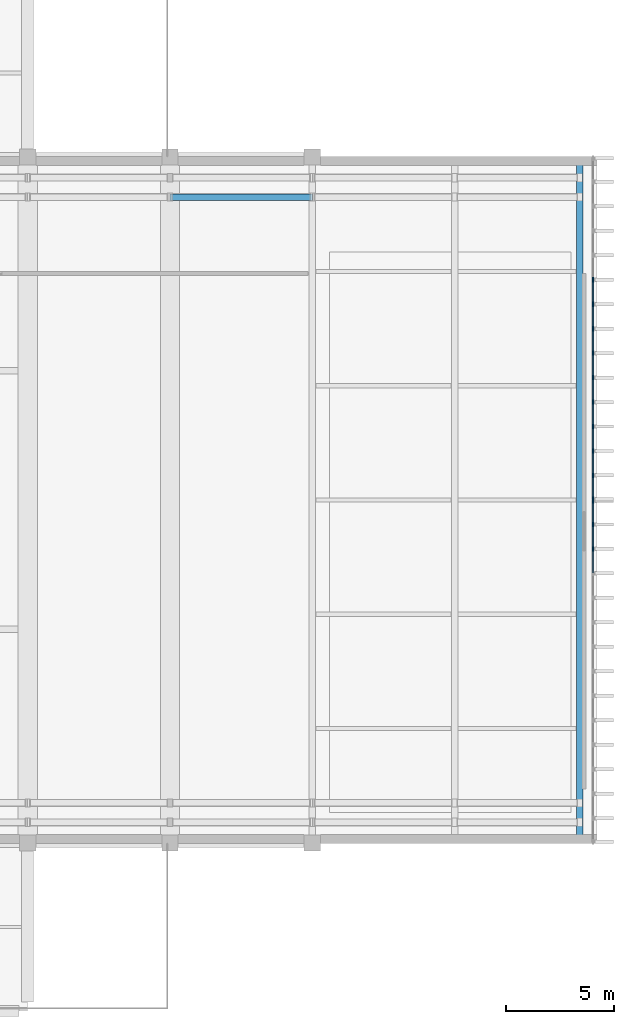
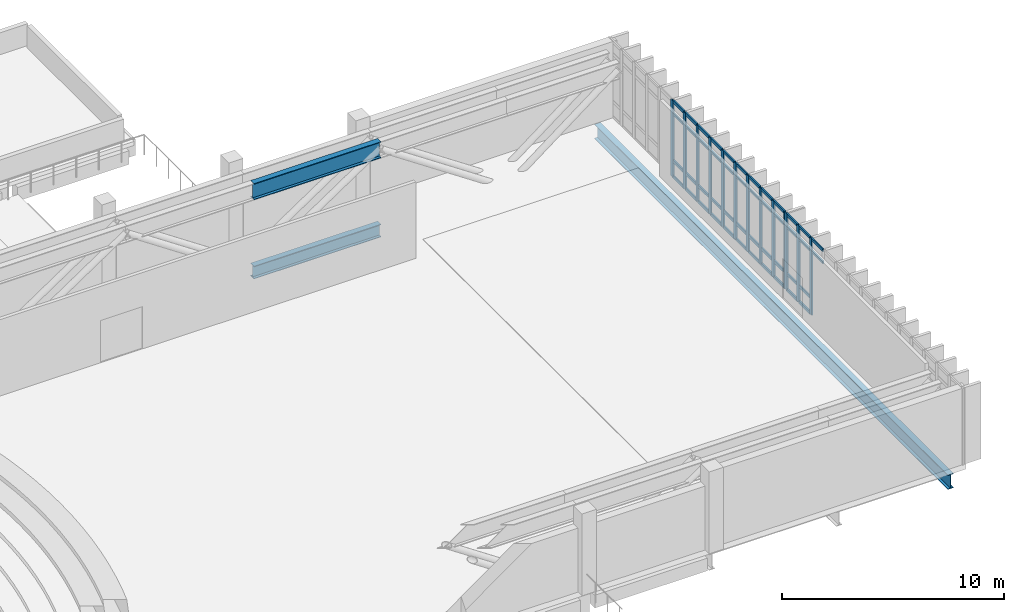
# One storey, part 24 of 54: 61 members, 1 beam, 2 elements without a shape of their own.
"""IFC4 building model written with IfcOpenShell, lengths in metres."""

from ifc_helpers import new_model, si_unit, direction, frame, origin, origin_2d, place, context, subcontext, project, spatial, rectangle, i_section, extrude, material, layer, layer_set, material_profile, profile_set, type_object, element, aggregate, save


model = new_model("IFC4")

# Units and contexts
model_context = context("Model", 3, precision=1e-05, world=origin(), true_north=direction((0.0, 1.0)))
body_context = subcontext(model_context, "Body", "Model", "MODEL_VIEW")
ifc_project = project(units=[si_unit("LENGTHUNIT", "METRE"), si_unit("AREAUNIT", "SQUARE_METRE"), si_unit("VOLUMEUNIT", "CUBIC_METRE"), si_unit("PLANEANGLEUNIT", "RADIAN"), si_unit("MASSUNIT", "GRAM", prefix="KILO")], contexts=[model_context])

# Site, building, storey
site_placement = place(None, origin())
site = spatial("IfcSite", under=ifc_project, at=site_placement, CompositionType="ELEMENT")
building_placement = place(site_placement, origin())
building = spatial("IfcBuilding", under=site, at=building_placement, Name="Kelarvand Opera House", CompositionType="ELEMENT")
storey_placement = place(building_placement, frame((0.0, 0.0, 15.0)))
storey = spatial("IfcBuildingStorey", under=building, at=storey_placement, Name="L03", CompositionType="ELEMENT", Elevation=15.0)

# Curtain wall, members
ifc_material_1 = material(Name="Thermally broken aluminium and low-E glazing", Category="aluminium")
ifc_layer = layer(ifc_material_1, 0.219970703125, Name="Thermally broken aluminium and low-E glazing", Category="aluminium")
ifc_layer_set = layer_set([ifc_layer], Name="Thermally broken aluminium and low-E glazing")
curtain_wall_type = type_object("IfcCurtainWallType", Name="Unitised Low-E Curtain Wall 15886x4200 Mod 1150 CWF-07", PredefinedType="USERDEFINED", material=ifc_layer_set)
curtain_wall_1_placement = place(storey_placement, origin())
curtain_wall_1 = element("IfcCurtainWall", 1, at=curtain_wall_1_placement, inside=storey, type_object=curtain_wall_type, Name="V1 L03 Curtain Wall CWF-07 (21)", ObjectType="UNITISED CURTAIN WALL", PredefinedType="USERDEFINED")
ifc_material_2 = material(Name="Thermally broken anodised aluminium", Category="aluminium")
ifc_material_profile_1 = material_profile(ifc_material_2, rectangle(XDim=0.074951171875, YDim=0.219970703125, at=origin_2d()), Name="ALU MULLION 75x220", Category="aluminium")
ifc_profile_set_1 = profile_set([ifc_material_profile_1], Name="Thermally broken anodised aluminium")
member_type_1 = type_object("IfcMemberType", Name="Curtain Wall Mullion 75x220 Heavy Plaza", PredefinedType="MULLION", material=ifc_profile_set_1)
member_1_placement = place(storey_placement, frame((154.820068359375, 72.71630859375, 0.0), z_axis=(0.0, 0.0, 1.0), x_axis=(1.0, 0.0, 0.0)))
member_1 = element("IfcMember", 2, at=member_1_placement, type_object=member_type_1, Name="CWF-07 mullion 6", PredefinedType="MULLION", context=body_context, shape_type="SweptSolid", body=[
    extrude(rectangle(XDim=0.074951171875, YDim=0.219970703125, at=origin_2d()), origin(), (0.0, 0.0, 1.0), 4.199951171875),
])
member_2_placement = place(storey_placement, frame((154.820068359375, 71.581787109375, 0.0), z_axis=(0.0, 0.0, 1.0), x_axis=(1.0, 0.0, 0.0)))
member_2 = element("IfcMember", 3, at=member_2_placement, type_object=member_type_1, Name="CWF-07 mullion 7", PredefinedType="MULLION", context=body_context, shape_type="SweptSolid", body=[
    extrude(rectangle(XDim=0.074951171875, YDim=0.219970703125, at=origin_2d()), origin(), (0.0, 0.0, 1.0), 4.199951171875),
])
member_3_placement = place(storey_placement, frame((154.820068359375, 70.447021484375, 0.0), z_axis=(0.0, 0.0, 1.0), x_axis=(1.0, 0.0, 0.0)))
member_3 = element("IfcMember", 4, at=member_3_placement, type_object=member_type_1, Name="CWF-07 mullion 8", PredefinedType="MULLION", context=body_context, shape_type="SweptSolid", body=[
    extrude(rectangle(XDim=0.074951171875, YDim=0.219970703125, at=origin_2d()), origin(), (0.0, 0.0, 1.0), 4.199951171875),
])
member_4_placement = place(storey_placement, frame((154.820068359375, 69.312255859375, 0.0), z_axis=(0.0, 0.0, 1.0), x_axis=(1.0, 0.0, 0.0)))
member_4 = element("IfcMember", 5, at=member_4_placement, type_object=member_type_1, Name="CWF-07 mullion 9", PredefinedType="MULLION", context=body_context, shape_type="SweptSolid", body=[
    extrude(rectangle(XDim=0.074951171875, YDim=0.219970703125, at=origin_2d()), origin(), (0.0, 0.0, 1.0), 4.199951171875),
])
member_5_placement = place(storey_placement, frame((154.820068359375, 68.177490234375, 0.0), z_axis=(0.0, 0.0, 1.0), x_axis=(1.0, 0.0, 0.0)))
member_5 = element("IfcMember", 6, at=member_5_placement, type_object=member_type_1, Name="CWF-07 mullion 10", PredefinedType="MULLION", context=body_context, shape_type="SweptSolid", body=[
    extrude(rectangle(XDim=0.074951171875, YDim=0.219970703125, at=origin_2d()), origin(), (0.0, 0.0, 1.0), 4.199951171875),
])
member_6_placement = place(storey_placement, frame((154.820068359375, 67.04296875, 0.0), z_axis=(0.0, 0.0, 1.0), x_axis=(1.0, 0.0, 0.0)))
member_6 = element("IfcMember", 7, at=member_6_placement, type_object=member_type_1, Name="CWF-07 mullion 11", PredefinedType="MULLION", context=body_context, shape_type="SweptSolid", body=[
    extrude(rectangle(XDim=0.074951171875, YDim=0.219970703125, at=origin_2d()), origin(), (0.0, 0.0, 1.0), 4.199951171875),
])
member_7_placement = place(storey_placement, frame((154.820068359375, 65.908203125, 0.0), z_axis=(0.0, 0.0, 1.0), x_axis=(1.0, 0.0, 0.0)))
member_7 = element("IfcMember", 8, at=member_7_placement, type_object=member_type_1, Name="CWF-07 mullion 12", PredefinedType="MULLION", context=body_context, shape_type="SweptSolid", body=[
    extrude(rectangle(XDim=0.074951171875, YDim=0.219970703125, at=origin_2d()), origin(), (0.0, 0.0, 1.0), 4.199951171875),
])
member_8_placement = place(storey_placement, frame((154.820068359375, 64.7734375, 0.0), z_axis=(0.0, 0.0, 1.0), x_axis=(1.0, 0.0, 0.0)))
member_8 = element("IfcMember", 9, at=member_8_placement, type_object=member_type_1, Name="CWF-07 mullion 13", PredefinedType="MULLION", context=body_context, shape_type="SweptSolid", body=[
    extrude(rectangle(XDim=0.074951171875, YDim=0.219970703125, at=origin_2d()), origin(), (0.0, 0.0, 1.0), 4.199951171875),
])
member_9_placement = place(storey_placement, frame((154.820068359375, 63.638671875, 0.0), z_axis=(0.0, 0.0, 1.0), x_axis=(1.0, 0.0, 0.0)))
member_9 = element("IfcMember", 10, at=member_9_placement, type_object=member_type_1, Name="CWF-07 mullion 14", PredefinedType="MULLION", context=body_context, shape_type="SweptSolid", body=[
    extrude(rectangle(XDim=0.074951171875, YDim=0.219970703125, at=origin_2d()), origin(), (0.0, 0.0, 1.0), 4.199951171875),
])
member_10_placement = place(storey_placement, frame((154.820068359375, 62.54150390625, 0.0), z_axis=(0.0, 0.0, 1.0), x_axis=(1.0, 0.0, 0.0)))
member_10 = element("IfcMember", 11, at=member_10_placement, type_object=member_type_1, Name="CWF-07 mullion 15", PredefinedType="MULLION", context=body_context, shape_type="SweptSolid", body=[
    extrude(rectangle(XDim=0.074951171875, YDim=0.219970703125, at=origin_2d()), origin(), (0.0, 0.0, 1.0), 4.199951171875),
])

curtain_wall_2_placement = place(storey_placement, origin())
curtain_wall_2 = element("IfcCurtainWall", 12, at=curtain_wall_2_placement, inside=storey, type_object=curtain_wall_type, Name="V1 L03 Curtain Wall CWF-07 (22)", ObjectType="UNITISED CURTAIN WALL", PredefinedType="USERDEFINED")
member_11_placement = place(storey_placement, frame((154.820068359375, 62.46240234375, 0.0), z_axis=(0.0, 0.0, 1.0), x_axis=(1.0, 0.0, 0.0)))
member_11 = element("IfcMember", 13, at=member_11_placement, type_object=member_type_1, Name="CWF-07 mullion 1", PredefinedType="MULLION", context=body_context, shape_type="SweptSolid", body=[
    extrude(rectangle(XDim=0.074951171875, YDim=0.219970703125, at=origin_2d()), origin(), (0.0, 0.0, 1.0), 4.199951171875),
])
member_12_placement = place(storey_placement, frame((154.820068359375, 61.364990234375, 0.0), z_axis=(0.0, 0.0, 1.0), x_axis=(1.0, 0.0, 0.0)))
member_12 = element("IfcMember", 14, at=member_12_placement, type_object=member_type_1, Name="CWF-07 mullion 2", PredefinedType="MULLION", context=body_context, shape_type="SweptSolid", body=[
    extrude(rectangle(XDim=0.074951171875, YDim=0.219970703125, at=origin_2d()), origin(), (0.0, 0.0, 1.0), 4.199951171875),
])
member_13_placement = place(storey_placement, frame((154.820068359375, 60.22998046875, 0.0), z_axis=(0.0, 0.0, 1.0), x_axis=(1.0, 0.0, 0.0)))
member_13 = element("IfcMember", 15, at=member_13_placement, type_object=member_type_1, Name="CWF-07 mullion 3", PredefinedType="MULLION", context=body_context, shape_type="SweptSolid", body=[
    extrude(rectangle(XDim=0.074951171875, YDim=0.219970703125, at=origin_2d()), origin(), (0.0, 0.0, 1.0), 4.199951171875),
])

# Member
ifc_material_profile_2 = material_profile(ifc_material_2, rectangle(XDim=0.074951171875, YDim=0.159912109375, at=origin_2d()), Name="ALU TRANSOM 75x160", Category="aluminium")
ifc_profile_set_2 = profile_set([ifc_material_profile_2], Name="Thermally broken anodised aluminium")
member_type_2 = type_object("IfcMemberType", Name="Curtain Wall Transom 75x160 Heavy Plaza", PredefinedType="USERDEFINED", material=ifc_profile_set_2)
member_14_placement = place(storey_placement, frame((154.820068359375, 72.678955078125, 0.03759765625), z_axis=(0.0, -1.0, 0.0), x_axis=(1.0, 0.0, 0.0)))
member_14 = element("IfcMember", 16, at=member_14_placement, type_object=member_type_2, Name="CWF-07 transom 6.1", ObjectType="TRANSOM", PredefinedType="USERDEFINED", context=body_context, shape_type="SweptSolid", body=[
    extrude(rectangle(XDim=0.074951171875, YDim=0.159912109375, at=origin_2d()), origin(), (0.0, 0.0, 1.0), 1.059814453125),
])

member_15_placement = place(storey_placement, frame((154.820068359375, 72.678955078125, 0.89990234375), z_axis=(0.0, -1.0, 0.0), x_axis=(1.0, 0.0, 0.0)))
member_15 = element("IfcMember", 17, at=member_15_placement, type_object=member_type_2, Name="CWF-07 transom 6.2", ObjectType="TRANSOM", PredefinedType="USERDEFINED", context=body_context, shape_type="SweptSolid", body=[
    extrude(rectangle(XDim=0.074951171875, YDim=0.159912109375, at=origin_2d()), origin(), (0.0, 0.0, 1.0), 1.059814453125),
])

member_16_placement = place(storey_placement, frame((154.820068359375, 72.678955078125, 3.5), z_axis=(0.0, -1.0, 0.0), x_axis=(1.0, 0.0, 0.0)))
member_16 = element("IfcMember", 18, at=member_16_placement, type_object=member_type_2, Name="CWF-07 transom 6.3", ObjectType="TRANSOM", PredefinedType="USERDEFINED", context=body_context, shape_type="SweptSolid", body=[
    extrude(rectangle(XDim=0.074951171875, YDim=0.159912109375, at=origin_2d()), origin(), (0.0, 0.0, 1.0), 1.059814453125),
])

member_17_placement = place(storey_placement, frame((154.820068359375, 72.678955078125, 4.16259765625), z_axis=(0.0, -1.0, 0.0), x_axis=(1.0, 0.0, 0.0)))
member_17 = element("IfcMember", 19, at=member_17_placement, type_object=member_type_2, Name="CWF-07 transom 6.4", ObjectType="TRANSOM", PredefinedType="USERDEFINED", context=body_context, shape_type="SweptSolid", body=[
    extrude(rectangle(XDim=0.074951171875, YDim=0.159912109375, at=origin_2d()), origin(), (0.0, 0.0, 1.0), 1.059814453125),
])

member_18_placement = place(storey_placement, frame((154.820068359375, 71.544189453125, 0.03759765625), z_axis=(0.0, -1.0, 0.0), x_axis=(1.0, 0.0, 0.0)))
member_18 = element("IfcMember", 20, at=member_18_placement, type_object=member_type_2, Name="CWF-07 transom 7.1", ObjectType="TRANSOM", PredefinedType="USERDEFINED", context=body_context, shape_type="SweptSolid", body=[
    extrude(rectangle(XDim=0.074951171875, YDim=0.159912109375, at=origin_2d()), origin(), (0.0, 0.0, 1.0), 1.0595703125),
])

member_19_placement = place(storey_placement, frame((154.820068359375, 71.544189453125, 0.89990234375), z_axis=(0.0, -1.0, 0.0), x_axis=(1.0, 0.0, 0.0)))
member_19 = element("IfcMember", 21, at=member_19_placement, type_object=member_type_2, Name="CWF-07 transom 7.2", ObjectType="TRANSOM", PredefinedType="USERDEFINED", context=body_context, shape_type="SweptSolid", body=[
    extrude(rectangle(XDim=0.074951171875, YDim=0.159912109375, at=origin_2d()), origin(), (0.0, 0.0, 1.0), 1.0595703125),
])

member_20_placement = place(storey_placement, frame((154.820068359375, 71.544189453125, 3.5), z_axis=(0.0, -1.0, 0.0), x_axis=(1.0, 0.0, 0.0)))
member_20 = element("IfcMember", 22, at=member_20_placement, type_object=member_type_2, Name="CWF-07 transom 7.3", ObjectType="TRANSOM", PredefinedType="USERDEFINED", context=body_context, shape_type="SweptSolid", body=[
    extrude(rectangle(XDim=0.074951171875, YDim=0.159912109375, at=origin_2d()), origin(), (0.0, 0.0, 1.0), 1.0595703125),
])

member_21_placement = place(storey_placement, frame((154.820068359375, 71.544189453125, 4.16259765625), z_axis=(0.0, -1.0, 0.0), x_axis=(1.0, 0.0, 0.0)))
member_21 = element("IfcMember", 23, at=member_21_placement, type_object=member_type_2, Name="CWF-07 transom 7.4", ObjectType="TRANSOM", PredefinedType="USERDEFINED", context=body_context, shape_type="SweptSolid", body=[
    extrude(rectangle(XDim=0.074951171875, YDim=0.159912109375, at=origin_2d()), origin(), (0.0, 0.0, 1.0), 1.0595703125),
])

member_22_placement = place(storey_placement, frame((154.820068359375, 70.409423828125, 0.03759765625), z_axis=(0.0, -1.0, 0.0), x_axis=(1.0, 0.0, 0.0)))
member_22 = element("IfcMember", 24, at=member_22_placement, type_object=member_type_2, Name="CWF-07 transom 8.1", ObjectType="TRANSOM", PredefinedType="USERDEFINED", context=body_context, shape_type="SweptSolid", body=[
    extrude(rectangle(XDim=0.074951171875, YDim=0.159912109375, at=origin_2d()), origin(), (0.0, 0.0, 1.0), 1.0595703125),
])

member_23_placement = place(storey_placement, frame((154.820068359375, 70.409423828125, 0.89990234375), z_axis=(0.0, -1.0, 0.0), x_axis=(1.0, 0.0, 0.0)))
member_23 = element("IfcMember", 25, at=member_23_placement, type_object=member_type_2, Name="CWF-07 transom 8.2", ObjectType="TRANSOM", PredefinedType="USERDEFINED", context=body_context, shape_type="SweptSolid", body=[
    extrude(rectangle(XDim=0.074951171875, YDim=0.159912109375, at=origin_2d()), origin(), (0.0, 0.0, 1.0), 1.0595703125),
])

member_24_placement = place(storey_placement, frame((154.820068359375, 70.409423828125, 3.5), z_axis=(0.0, -1.0, 0.0), x_axis=(1.0, 0.0, 0.0)))
member_24 = element("IfcMember", 26, at=member_24_placement, type_object=member_type_2, Name="CWF-07 transom 8.3", ObjectType="TRANSOM", PredefinedType="USERDEFINED", context=body_context, shape_type="SweptSolid", body=[
    extrude(rectangle(XDim=0.074951171875, YDim=0.159912109375, at=origin_2d()), origin(), (0.0, 0.0, 1.0), 1.0595703125),
])

member_25_placement = place(storey_placement, frame((154.820068359375, 70.409423828125, 4.16259765625), z_axis=(0.0, -1.0, 0.0), x_axis=(1.0, 0.0, 0.0)))
member_25 = element("IfcMember", 27, at=member_25_placement, type_object=member_type_2, Name="CWF-07 transom 8.4", ObjectType="TRANSOM", PredefinedType="USERDEFINED", context=body_context, shape_type="SweptSolid", body=[
    extrude(rectangle(XDim=0.074951171875, YDim=0.159912109375, at=origin_2d()), origin(), (0.0, 0.0, 1.0), 1.0595703125),
])

member_26_placement = place(storey_placement, frame((154.820068359375, 69.27490234375, 0.03759765625), z_axis=(0.0, -1.0, 0.0), x_axis=(1.0, 0.0, 0.0)))
member_26 = element("IfcMember", 28, at=member_26_placement, type_object=member_type_2, Name="CWF-07 transom 9.1", ObjectType="TRANSOM", PredefinedType="USERDEFINED", context=body_context, shape_type="SweptSolid", body=[
    extrude(rectangle(XDim=0.074951171875, YDim=0.159912109375, at=origin_2d()), origin(), (0.0, 0.0, 1.0), 1.059814453125),
])

member_27_placement = place(storey_placement, frame((154.820068359375, 69.27490234375, 0.89990234375), z_axis=(0.0, -1.0, 0.0), x_axis=(1.0, 0.0, 0.0)))
member_27 = element("IfcMember", 29, at=member_27_placement, type_object=member_type_2, Name="CWF-07 transom 9.2", ObjectType="TRANSOM", PredefinedType="USERDEFINED", context=body_context, shape_type="SweptSolid", body=[
    extrude(rectangle(XDim=0.074951171875, YDim=0.159912109375, at=origin_2d()), origin(), (0.0, 0.0, 1.0), 1.059814453125),
])

member_28_placement = place(storey_placement, frame((154.820068359375, 69.27490234375, 3.5), z_axis=(0.0, -1.0, 0.0), x_axis=(1.0, 0.0, 0.0)))
member_28 = element("IfcMember", 30, at=member_28_placement, type_object=member_type_2, Name="CWF-07 transom 9.3", ObjectType="TRANSOM", PredefinedType="USERDEFINED", context=body_context, shape_type="SweptSolid", body=[
    extrude(rectangle(XDim=0.074951171875, YDim=0.159912109375, at=origin_2d()), origin(), (0.0, 0.0, 1.0), 1.059814453125),
])

member_29_placement = place(storey_placement, frame((154.820068359375, 69.27490234375, 4.16259765625), z_axis=(0.0, -1.0, 0.0), x_axis=(1.0, 0.0, 0.0)))
member_29 = element("IfcMember", 31, at=member_29_placement, type_object=member_type_2, Name="CWF-07 transom 9.4", ObjectType="TRANSOM", PredefinedType="USERDEFINED", context=body_context, shape_type="SweptSolid", body=[
    extrude(rectangle(XDim=0.074951171875, YDim=0.159912109375, at=origin_2d()), origin(), (0.0, 0.0, 1.0), 1.059814453125),
])

member_30_placement = place(storey_placement, frame((154.820068359375, 68.14013671875, 0.03759765625), z_axis=(0.0, -1.0, 0.0), x_axis=(1.0, 0.0, 0.0)))
member_30 = element("IfcMember", 32, at=member_30_placement, type_object=member_type_2, Name="CWF-07 transom 10.1", ObjectType="TRANSOM", PredefinedType="USERDEFINED", context=body_context, shape_type="SweptSolid", body=[
    extrude(rectangle(XDim=0.074951171875, YDim=0.159912109375, at=origin_2d()), origin(), (0.0, 0.0, 1.0), 1.059814453125),
])

member_31_placement = place(storey_placement, frame((154.820068359375, 68.14013671875, 0.89990234375), z_axis=(0.0, -1.0, 0.0), x_axis=(1.0, 0.0, 0.0)))
member_31 = element("IfcMember", 33, at=member_31_placement, type_object=member_type_2, Name="CWF-07 transom 10.2", ObjectType="TRANSOM", PredefinedType="USERDEFINED", context=body_context, shape_type="SweptSolid", body=[
    extrude(rectangle(XDim=0.074951171875, YDim=0.159912109375, at=origin_2d()), origin(), (0.0, 0.0, 1.0), 1.059814453125),
])

member_32_placement = place(storey_placement, frame((154.820068359375, 68.14013671875, 3.5), z_axis=(0.0, -1.0, 0.0), x_axis=(1.0, 0.0, 0.0)))
member_32 = element("IfcMember", 34, at=member_32_placement, type_object=member_type_2, Name="CWF-07 transom 10.3", ObjectType="TRANSOM", PredefinedType="USERDEFINED", context=body_context, shape_type="SweptSolid", body=[
    extrude(rectangle(XDim=0.074951171875, YDim=0.159912109375, at=origin_2d()), origin(), (0.0, 0.0, 1.0), 1.059814453125),
])

member_33_placement = place(storey_placement, frame((154.820068359375, 68.14013671875, 4.16259765625), z_axis=(0.0, -1.0, 0.0), x_axis=(1.0, 0.0, 0.0)))
member_33 = element("IfcMember", 35, at=member_33_placement, type_object=member_type_2, Name="CWF-07 transom 10.4", ObjectType="TRANSOM", PredefinedType="USERDEFINED", context=body_context, shape_type="SweptSolid", body=[
    extrude(rectangle(XDim=0.074951171875, YDim=0.159912109375, at=origin_2d()), origin(), (0.0, 0.0, 1.0), 1.059814453125),
])

member_34_placement = place(storey_placement, frame((154.820068359375, 67.00537109375, 0.03759765625), z_axis=(0.0, -1.0, 0.0), x_axis=(1.0, 0.0, 0.0)))
member_34 = element("IfcMember", 36, at=member_34_placement, type_object=member_type_2, Name="CWF-07 transom 11.1", ObjectType="TRANSOM", PredefinedType="USERDEFINED", context=body_context, shape_type="SweptSolid", body=[
    extrude(rectangle(XDim=0.074951171875, YDim=0.159912109375, at=origin_2d()), origin(), (0.0, 0.0, 1.0), 1.059814453125),
])

member_35_placement = place(storey_placement, frame((154.820068359375, 67.00537109375, 0.89990234375), z_axis=(0.0, -1.0, 0.0), x_axis=(1.0, 0.0, 0.0)))
member_35 = element("IfcMember", 37, at=member_35_placement, type_object=member_type_2, Name="CWF-07 transom 11.2", ObjectType="TRANSOM", PredefinedType="USERDEFINED", context=body_context, shape_type="SweptSolid", body=[
    extrude(rectangle(XDim=0.074951171875, YDim=0.159912109375, at=origin_2d()), origin(), (0.0, 0.0, 1.0), 1.059814453125),
])

member_36_placement = place(storey_placement, frame((154.820068359375, 67.00537109375, 3.5), z_axis=(0.0, -1.0, 0.0), x_axis=(1.0, 0.0, 0.0)))
member_36 = element("IfcMember", 38, at=member_36_placement, type_object=member_type_2, Name="CWF-07 transom 11.3", ObjectType="TRANSOM", PredefinedType="USERDEFINED", context=body_context, shape_type="SweptSolid", body=[
    extrude(rectangle(XDim=0.074951171875, YDim=0.159912109375, at=origin_2d()), origin(), (0.0, 0.0, 1.0), 1.059814453125),
])

member_37_placement = place(storey_placement, frame((154.820068359375, 67.00537109375, 4.16259765625), z_axis=(0.0, -1.0, 0.0), x_axis=(1.0, 0.0, 0.0)))
member_37 = element("IfcMember", 39, at=member_37_placement, type_object=member_type_2, Name="CWF-07 transom 11.4", ObjectType="TRANSOM", PredefinedType="USERDEFINED", context=body_context, shape_type="SweptSolid", body=[
    extrude(rectangle(XDim=0.074951171875, YDim=0.159912109375, at=origin_2d()), origin(), (0.0, 0.0, 1.0), 1.059814453125),
])

member_38_placement = place(storey_placement, frame((154.820068359375, 65.87060546875, 0.03759765625), z_axis=(0.0, -1.0, 0.0), x_axis=(1.0, 0.0, 0.0)))
member_38 = element("IfcMember", 40, at=member_38_placement, type_object=member_type_2, Name="CWF-07 transom 12.1", ObjectType="TRANSOM", PredefinedType="USERDEFINED", context=body_context, shape_type="SweptSolid", body=[
    extrude(rectangle(XDim=0.074951171875, YDim=0.159912109375, at=origin_2d()), origin(), (0.0, 0.0, 1.0), 1.0595703125),
])

member_39_placement = place(storey_placement, frame((154.820068359375, 65.87060546875, 0.89990234375), z_axis=(0.0, -1.0, 0.0), x_axis=(1.0, 0.0, 0.0)))
member_39 = element("IfcMember", 41, at=member_39_placement, type_object=member_type_2, Name="CWF-07 transom 12.2", ObjectType="TRANSOM", PredefinedType="USERDEFINED", context=body_context, shape_type="SweptSolid", body=[
    extrude(rectangle(XDim=0.074951171875, YDim=0.159912109375, at=origin_2d()), origin(), (0.0, 0.0, 1.0), 1.0595703125),
])

member_40_placement = place(storey_placement, frame((154.820068359375, 65.87060546875, 3.5), z_axis=(0.0, -1.0, 0.0), x_axis=(1.0, 0.0, 0.0)))
member_40 = element("IfcMember", 42, at=member_40_placement, type_object=member_type_2, Name="CWF-07 transom 12.3", ObjectType="TRANSOM", PredefinedType="USERDEFINED", context=body_context, shape_type="SweptSolid", body=[
    extrude(rectangle(XDim=0.074951171875, YDim=0.159912109375, at=origin_2d()), origin(), (0.0, 0.0, 1.0), 1.0595703125),
])

member_41_placement = place(storey_placement, frame((154.820068359375, 65.87060546875, 4.16259765625), z_axis=(0.0, -1.0, 0.0), x_axis=(1.0, 0.0, 0.0)))
member_41 = element("IfcMember", 43, at=member_41_placement, type_object=member_type_2, Name="CWF-07 transom 12.4", ObjectType="TRANSOM", PredefinedType="USERDEFINED", context=body_context, shape_type="SweptSolid", body=[
    extrude(rectangle(XDim=0.074951171875, YDim=0.159912109375, at=origin_2d()), origin(), (0.0, 0.0, 1.0), 1.0595703125),
])

member_42_placement = place(storey_placement, frame((154.820068359375, 64.73583984375, 0.03759765625), z_axis=(0.0, -1.0, 0.0), x_axis=(1.0, 0.0, 0.0)))
member_42 = element("IfcMember", 44, at=member_42_placement, type_object=member_type_2, Name="CWF-07 transom 13.1", ObjectType="TRANSOM", PredefinedType="USERDEFINED", context=body_context, shape_type="SweptSolid", body=[
    extrude(rectangle(XDim=0.074951171875, YDim=0.159912109375, at=origin_2d()), origin(), (0.0, 0.0, 1.0), 1.0595703125),
])

member_43_placement = place(storey_placement, frame((154.820068359375, 64.73583984375, 0.89990234375), z_axis=(0.0, -1.0, 0.0), x_axis=(1.0, 0.0, 0.0)))
member_43 = element("IfcMember", 45, at=member_43_placement, type_object=member_type_2, Name="CWF-07 transom 13.2", ObjectType="TRANSOM", PredefinedType="USERDEFINED", context=body_context, shape_type="SweptSolid", body=[
    extrude(rectangle(XDim=0.074951171875, YDim=0.159912109375, at=origin_2d()), origin(), (0.0, 0.0, 1.0), 1.0595703125),
])

member_44_placement = place(storey_placement, frame((154.820068359375, 64.73583984375, 3.5), z_axis=(0.0, -1.0, 0.0), x_axis=(1.0, 0.0, 0.0)))
member_44 = element("IfcMember", 46, at=member_44_placement, type_object=member_type_2, Name="CWF-07 transom 13.3", ObjectType="TRANSOM", PredefinedType="USERDEFINED", context=body_context, shape_type="SweptSolid", body=[
    extrude(rectangle(XDim=0.074951171875, YDim=0.159912109375, at=origin_2d()), origin(), (0.0, 0.0, 1.0), 1.0595703125),
])

member_45_placement = place(storey_placement, frame((154.820068359375, 64.73583984375, 4.16259765625), z_axis=(0.0, -1.0, 0.0), x_axis=(1.0, 0.0, 0.0)))
member_45 = element("IfcMember", 47, at=member_45_placement, type_object=member_type_2, Name="CWF-07 transom 13.4", ObjectType="TRANSOM", PredefinedType="USERDEFINED", context=body_context, shape_type="SweptSolid", body=[
    extrude(rectangle(XDim=0.074951171875, YDim=0.159912109375, at=origin_2d()), origin(), (0.0, 0.0, 1.0), 1.0595703125),
])

member_46_placement = place(storey_placement, frame((154.820068359375, 63.601318359375, 0.03759765625), z_axis=(0.0, -1.0, 0.0), x_axis=(1.0, 0.0, 0.0)))
member_46 = element("IfcMember", 48, at=member_46_placement, type_object=member_type_2, Name="CWF-07 transom 14.1", ObjectType="TRANSOM", PredefinedType="USERDEFINED", context=body_context, shape_type="SweptSolid", body=[
    extrude(rectangle(XDim=0.074951171875, YDim=0.159912109375, at=origin_2d()), origin(), (0.0, 0.0, 1.0), 1.022216796875),
])

member_47_placement = place(storey_placement, frame((154.820068359375, 63.601318359375, 0.89990234375), z_axis=(0.0, -1.0, 0.0), x_axis=(1.0, 0.0, 0.0)))
member_47 = element("IfcMember", 49, at=member_47_placement, type_object=member_type_2, Name="CWF-07 transom 14.2", ObjectType="TRANSOM", PredefinedType="USERDEFINED", context=body_context, shape_type="SweptSolid", body=[
    extrude(rectangle(XDim=0.074951171875, YDim=0.159912109375, at=origin_2d()), origin(), (0.0, 0.0, 1.0), 1.022216796875),
])

member_48_placement = place(storey_placement, frame((154.820068359375, 63.601318359375, 3.5), z_axis=(0.0, -1.0, 0.0), x_axis=(1.0, 0.0, 0.0)))
member_48 = element("IfcMember", 50, at=member_48_placement, type_object=member_type_2, Name="CWF-07 transom 14.3", ObjectType="TRANSOM", PredefinedType="USERDEFINED", context=body_context, shape_type="SweptSolid", body=[
    extrude(rectangle(XDim=0.074951171875, YDim=0.159912109375, at=origin_2d()), origin(), (0.0, 0.0, 1.0), 1.022216796875),
])

member_49_placement = place(storey_placement, frame((154.820068359375, 63.601318359375, 4.16259765625), z_axis=(0.0, -1.0, 0.0), x_axis=(1.0, 0.0, 0.0)))
member_49 = element("IfcMember", 51, at=member_49_placement, type_object=member_type_2, Name="CWF-07 transom 14.4", ObjectType="TRANSOM", PredefinedType="USERDEFINED", context=body_context, shape_type="SweptSolid", body=[
    extrude(rectangle(XDim=0.074951171875, YDim=0.159912109375, at=origin_2d()), origin(), (0.0, 0.0, 1.0), 1.022216796875),
])

aggregate(curtain_wall_1, [member_1, member_2, member_3, member_4, member_5, member_6, member_7, member_8, member_9, member_10, member_14, member_15, member_16, member_17, member_18, member_19, member_20, member_21, member_22, member_23, member_24, member_25, member_26, member_27, member_28, member_29, member_30, member_31, member_32, member_33, member_34, member_35, member_36, member_37, member_38, member_39, member_40, member_41, member_42, member_43, member_44, member_45, member_46, member_47, member_48, member_49])

member_50_placement = place(storey_placement, frame((154.820068359375, 62.425048828125, 0.03759765625), z_axis=(0.0, -1.0, 0.0), x_axis=(1.0, 0.0, 0.0)))
member_50 = element("IfcMember", 52, at=member_50_placement, type_object=member_type_2, Name="CWF-07 transom 1.1", ObjectType="TRANSOM", PredefinedType="USERDEFINED", context=body_context, shape_type="SweptSolid", body=[
    extrude(rectangle(XDim=0.074951171875, YDim=0.159912109375, at=origin_2d()), origin(), (0.0, 0.0, 1.0), 1.0224609375),
])

member_51_placement = place(storey_placement, frame((154.820068359375, 62.425048828125, 0.89990234375), z_axis=(0.0, -1.0, 0.0), x_axis=(1.0, 0.0, 0.0)))
member_51 = element("IfcMember", 53, at=member_51_placement, type_object=member_type_2, Name="CWF-07 transom 1.2", ObjectType="TRANSOM", PredefinedType="USERDEFINED", context=body_context, shape_type="SweptSolid", body=[
    extrude(rectangle(XDim=0.074951171875, YDim=0.159912109375, at=origin_2d()), origin(), (0.0, 0.0, 1.0), 1.0224609375),
])

member_52_placement = place(storey_placement, frame((154.820068359375, 62.425048828125, 3.5), z_axis=(0.0, -1.0, 0.0), x_axis=(1.0, 0.0, 0.0)))
member_52 = element("IfcMember", 54, at=member_52_placement, type_object=member_type_2, Name="CWF-07 transom 1.3", ObjectType="TRANSOM", PredefinedType="USERDEFINED", context=body_context, shape_type="SweptSolid", body=[
    extrude(rectangle(XDim=0.074951171875, YDim=0.159912109375, at=origin_2d()), origin(), (0.0, 0.0, 1.0), 1.0224609375),
])

member_53_placement = place(storey_placement, frame((154.820068359375, 62.425048828125, 4.16259765625), z_axis=(0.0, -1.0, 0.0), x_axis=(1.0, 0.0, 0.0)))
member_53 = element("IfcMember", 55, at=member_53_placement, type_object=member_type_2, Name="CWF-07 transom 1.4", ObjectType="TRANSOM", PredefinedType="USERDEFINED", context=body_context, shape_type="SweptSolid", body=[
    extrude(rectangle(XDim=0.074951171875, YDim=0.159912109375, at=origin_2d()), origin(), (0.0, 0.0, 1.0), 1.0224609375),
])

member_54_placement = place(storey_placement, frame((154.820068359375, 61.327392578125, 0.03759765625), z_axis=(0.0, -1.0, 0.0), x_axis=(1.0, 0.0, 0.0)))
member_54 = element("IfcMember", 56, at=member_54_placement, type_object=member_type_2, Name="CWF-07 transom 2.1", ObjectType="TRANSOM", PredefinedType="USERDEFINED", context=body_context, shape_type="SweptSolid", body=[
    extrude(rectangle(XDim=0.074951171875, YDim=0.159912109375, at=origin_2d()), origin(), (0.0, 0.0, 1.0), 1.059814453125),
])

member_55_placement = place(storey_placement, frame((154.820068359375, 61.327392578125, 0.89990234375), z_axis=(0.0, -1.0, 0.0), x_axis=(1.0, 0.0, 0.0)))
member_55 = element("IfcMember", 57, at=member_55_placement, type_object=member_type_2, Name="CWF-07 transom 2.2", ObjectType="TRANSOM", PredefinedType="USERDEFINED", context=body_context, shape_type="SweptSolid", body=[
    extrude(rectangle(XDim=0.074951171875, YDim=0.159912109375, at=origin_2d()), origin(), (0.0, 0.0, 1.0), 1.059814453125),
])

member_56_placement = place(storey_placement, frame((154.820068359375, 61.327392578125, 3.5), z_axis=(0.0, -1.0, 0.0), x_axis=(1.0, 0.0, 0.0)))
member_56 = element("IfcMember", 58, at=member_56_placement, type_object=member_type_2, Name="CWF-07 transom 2.3", ObjectType="TRANSOM", PredefinedType="USERDEFINED", context=body_context, shape_type="SweptSolid", body=[
    extrude(rectangle(XDim=0.074951171875, YDim=0.159912109375, at=origin_2d()), origin(), (0.0, 0.0, 1.0), 1.059814453125),
])

member_57_placement = place(storey_placement, frame((154.820068359375, 61.327392578125, 4.16259765625), z_axis=(0.0, -1.0, 0.0), x_axis=(1.0, 0.0, 0.0)))
member_57 = element("IfcMember", 59, at=member_57_placement, type_object=member_type_2, Name="CWF-07 transom 2.4", ObjectType="TRANSOM", PredefinedType="USERDEFINED", context=body_context, shape_type="SweptSolid", body=[
    extrude(rectangle(XDim=0.074951171875, YDim=0.159912109375, at=origin_2d()), origin(), (0.0, 0.0, 1.0), 1.059814453125),
])

member_58_placement = place(storey_placement, frame((154.820068359375, 60.1923828125, 3.5), z_axis=(0.0, -1.0, 0.0), x_axis=(1.0, 0.0, 0.0)))
member_58 = element("IfcMember", 60, at=member_58_placement, type_object=member_type_2, Name="CWF-07 transom 3.3", ObjectType="TRANSOM", PredefinedType="USERDEFINED", context=body_context, shape_type="SweptSolid", body=[
    extrude(rectangle(XDim=0.074951171875, YDim=0.159912109375, at=origin_2d()), origin(), (0.0, 0.0, 1.0), 1.059814453125),
])

member_59_placement = place(storey_placement, frame((154.820068359375, 60.1923828125, 4.16259765625), z_axis=(0.0, -1.0, 0.0), x_axis=(1.0, 0.0, 0.0)))
member_59 = element("IfcMember", 61, at=member_59_placement, type_object=member_type_2, Name="CWF-07 transom 3.4", ObjectType="TRANSOM", PredefinedType="USERDEFINED", context=body_context, shape_type="SweptSolid", body=[
    extrude(rectangle(XDim=0.074951171875, YDim=0.159912109375, at=origin_2d()), origin(), (0.0, 0.0, 1.0), 1.059814453125),
])

aggregate(curtain_wall_2, [member_11, member_12, member_13, member_50, member_51, member_52, member_53, member_54, member_55, member_56, member_57, member_58, member_59])

# Beam
ifc_material_3 = material(Name="Steel S355", Category="steel")
ifc_material_profile_3 = material_profile(ifc_material_3, i_section(OverallWidth=0.300048828125, OverallDepth=0.800048828125, WebThickness=0.017578125, FlangeThickness=0.032958984375, at=origin_2d()), Name="HEB 800", Category="steel")
ifc_profile_set_3 = profile_set([ifc_material_profile_3], Name="Steel S355")
beam_type = type_object("IfcBeamType", Name="Structural Beam HEB 800 BM-HEB800", PredefinedType="BEAM", material=ifc_profile_set_3)
beam_placement = place(storey_placement, frame((154.199951171875, 46.60009765625, -0.719970703125), z_axis=(0.0, 1.0, 0.0), x_axis=(-1.0, 0.0, 0.0)))
element("IfcBeam", 62, at=beam_placement, inside=storey, type_object=beam_type, Name="Cantilever Transverse Girder L03 at X=154.2", PredefinedType="BEAM", context=body_context, shape_type="SweptSolid", body=[
    extrude(i_section(OverallWidth=0.300048828125, OverallDepth=0.800048828125, WebThickness=0.017578125, FlangeThickness=0.032958984375, at=origin_2d()), origin(), (0.0, 0.0, 1.0), 31.7998046875),
])

# Members
ifc_material_profile_4 = material_profile(ifc_material_3, i_section(OverallWidth=0.300048828125, OverallDepth=0.699951171875, WebThickness=0.01708984375, FlangeThickness=0.031982421875, at=origin_2d()), Name="HEB 700", Category="steel")
ifc_profile_set_4 = profile_set([ifc_material_profile_4], Name="Steel S355")
member_type_3 = type_object("IfcMemberType", Name="Structural Chord HEB 700 CH-HEB700", PredefinedType="CHORD", material=ifc_profile_set_4)
member_60_placement = place(storey_placement, frame((135.199951171875, 76.550048828125, -0.669921875), z_axis=(1.0, 0.0, 0.0), x_axis=(0.0, 1.0, 0.0)))
element("IfcMember", 63, at=member_60_placement, inside=storey, type_object=member_type_3, Name="Cantilever Truss CT3 Tie Chord 4", PredefinedType="CHORD", context=body_context, shape_type="SweptSolid", body=[
    extrude(i_section(OverallWidth=0.300048828125, OverallDepth=0.699951171875, WebThickness=0.01708984375, FlangeThickness=0.031982421875, at=origin_2d()), origin(), (0.0, 0.0, 1.0), 6.60009765625),
])
ifc_material_profile_5 = material_profile(ifc_material_3, i_section(OverallWidth=0.300048828125, OverallDepth=0.89990234375, WebThickness=0.0185546875, FlangeThickness=0.034912109375, at=origin_2d()), Name="HEB 900", Category="steel")
ifc_profile_set_5 = profile_set([ifc_material_profile_5], Name="Steel S355")
member_type_4 = type_object("IfcMemberType", Name="Structural Chord HEB 900 CH-HEB900", PredefinedType="CHORD", material=ifc_profile_set_5)
member_61_placement = place(storey_placement, frame((135.199951171875, 76.550048828125, 3.77001953125), z_axis=(1.0, 0.0, 0.0), x_axis=(0.0, 1.0, 0.0)))
element("IfcMember", 64, at=member_61_placement, inside=storey, type_object=member_type_4, Name="Cantilever Truss CT3 Top Chord 4", PredefinedType="CHORD", context=body_context, shape_type="SweptSolid", body=[
    extrude(i_section(OverallWidth=0.300048828125, OverallDepth=0.89990234375, WebThickness=0.0185546875, FlangeThickness=0.034912109375, at=origin_2d()), origin(), (0.0, 0.0, 1.0), 6.60009765625),
])

save(model, "model.ifc")
